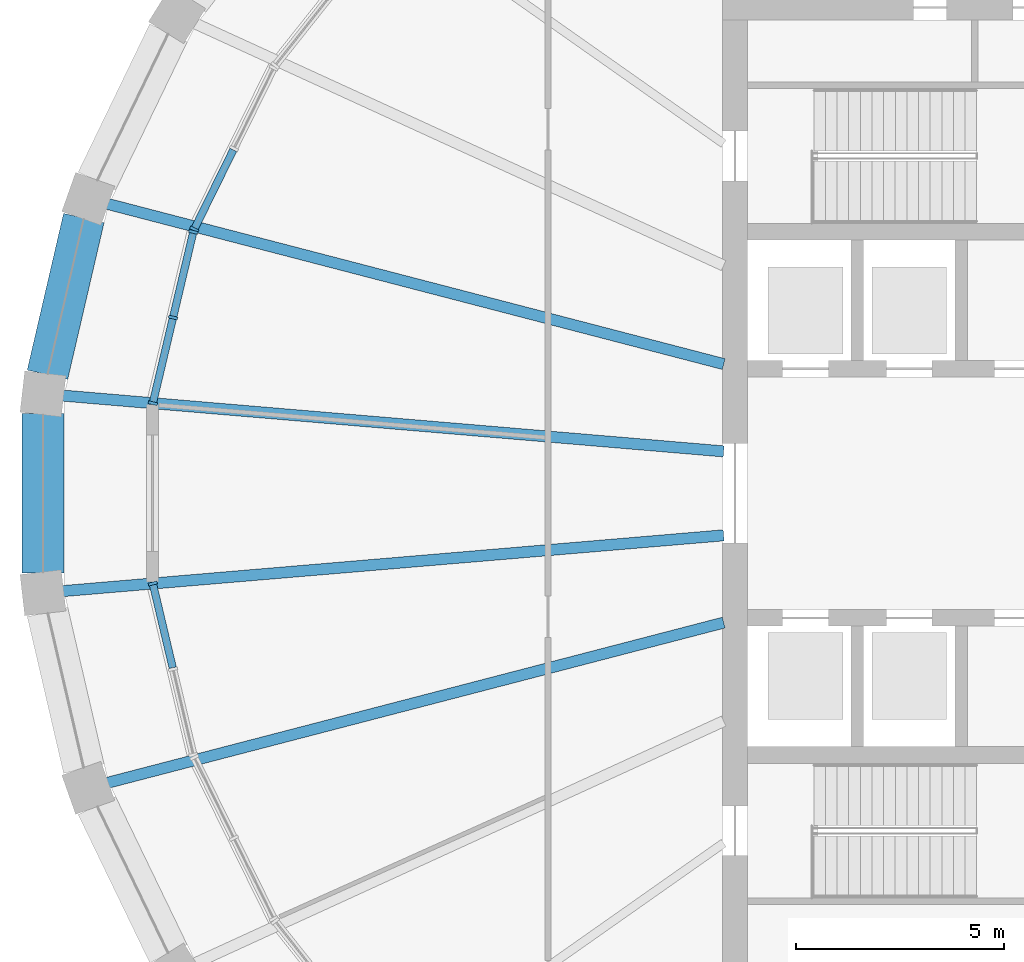
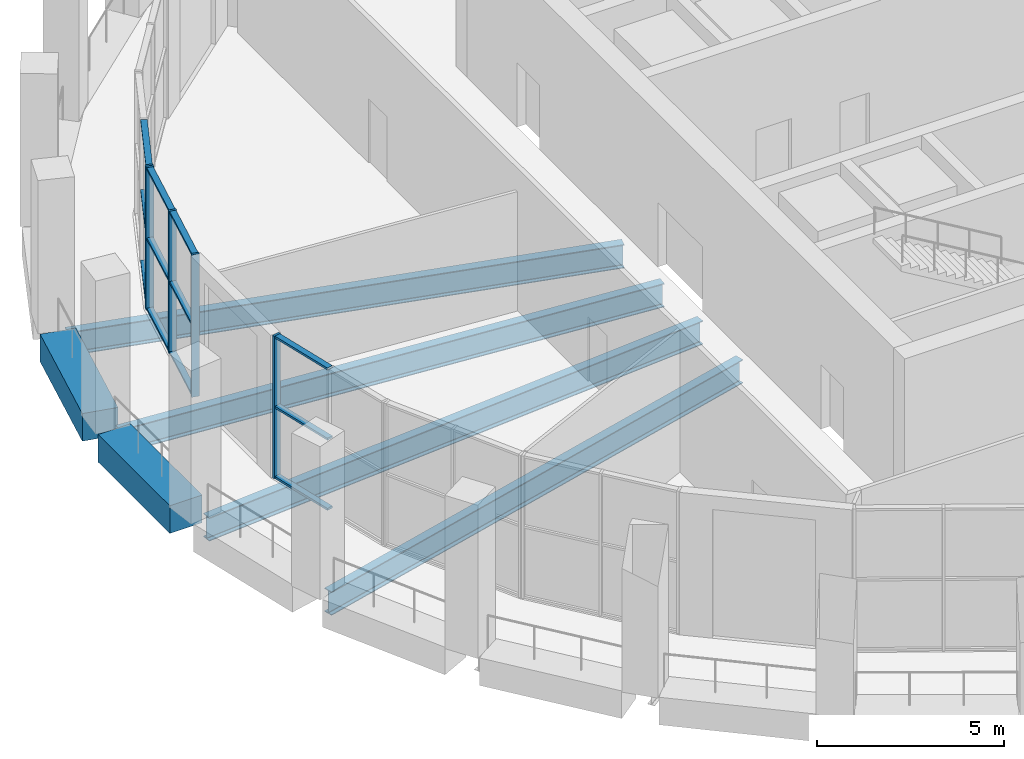
# One storey, part 3 of 16: 17 members, 6 beams, 3 elements without a shape of their own.
"""IFC4 building model written with IfcOpenShell, lengths in metres."""

from ifc_helpers import new_model, si_unit, direction, frame, origin, origin_2d, place, context, subcontext, project, spatial, rectangle, i_section, extrude, material, material_profile, profile_set, type_object, element, aggregate, save


model = new_model("IFC4")

# Units and contexts
model_context = context("Model", 3, precision=1e-05, world=origin(), true_north=direction((0.0, 1.0)))
body_context = subcontext(model_context, "Body", "Model", "MODEL_VIEW")
ifc_project = project(units=[si_unit("LENGTHUNIT", "METRE"), si_unit("AREAUNIT", "SQUARE_METRE"), si_unit("VOLUMEUNIT", "CUBIC_METRE"), si_unit("PLANEANGLEUNIT", "RADIAN"), si_unit("MASSUNIT", "GRAM", prefix="KILO")], contexts=[model_context])

# Site, building, storey
site_placement = place(None, origin())
site = spatial("IfcSite", under=ifc_project, at=site_placement, CompositionType="ELEMENT")
building_placement = place(site_placement, origin())
building = spatial("IfcBuilding", under=site, at=building_placement, Name="Halqa Exchange Tower", CompositionType="ELEMENT")
storey_placement = place(building_placement, frame((0.0, 0.0, 333.300048828125)))
storey = spatial("IfcBuildingStorey", under=building, at=storey_placement, Name="L78", CompositionType="ELEMENT", Elevation=333.300048828125)

# Beams
ifc_material_1 = material(Name="Steel S355", Category="steel")
ifc_material_profile_1 = material_profile(ifc_material_1, i_section(OverallWidth=0.26806640625, OverallDepth=0.77001953125, WebThickness=0.015625, FlangeThickness=0.025390625, FilletRadius=0.01708984375, at=origin_2d()), Name="IPE 750x196")
ifc_profile_set_1 = profile_set([ifc_material_profile_1], Name="Steel S355")
beam_type_1 = type_object("IfcBeamType", Name="Floor beam IPE 750x196", PredefinedType="BEAM", material=ifc_profile_set_1)
beam_1_placement = place(storey_placement, frame((-11.97119140625, 3.112548828125, -0.735107421875), z_axis=(-0.967819348283, 0.251645999551, 0.0), x_axis=(-0.251645999551, -0.967819348283, 0.0)))
element("IfcBeam", 1, at=beam_1_placement, inside=storey, type_object=beam_type_1, Name="Radial beam 15", PredefinedType="BEAM", context=body_context, shape_type="SweptSolid", body=[
    extrude(i_section(OverallWidth=0.26806640625, OverallDepth=0.77001953125, WebThickness=0.015625, FlangeThickness=0.025390625, FilletRadius=0.01708984375, at=origin_2d()), origin(), (0.0, 0.0, 1.0), 15.4365234375),
])
for number, where, z_axis, x_axis, name in (
    (2, (-11.972900390625, 1.0107421875, -0.735107421875), (-0.996455843657, 0.08411748713, 0.0), (-0.08411748713, -0.996455843657, 0.0), "Radial beam 16"),
    (3, (-11.972900390625, -1.0107421875, -0.735107421875), (-0.996455843657, -0.08411748713, 0.0), (0.08411748713, -0.996455843657, 0.0), "Radial beam 17"),
):
    element("IfcBeam", number, at=place(storey_placement, frame(where, z_axis=z_axis, x_axis=x_axis)), inside=storey, type_object=beam_type_1, Name=name, PredefinedType="BEAM", context=body_context, shape_type="SweptSolid", body=[
        extrude(i_section(OverallWidth=0.26806640625, OverallDepth=0.77001953125, WebThickness=0.015625, FlangeThickness=0.025390625, FilletRadius=0.01708984375, at=origin_2d()), origin(), (0.0, 0.0, 1.0), 16.076171875),
    ])
beam_2_placement = place(storey_placement, frame((-11.97119140625, -3.112548828125, -0.735107421875), z_axis=(-0.967819348283, -0.251645999551, 0.0), x_axis=(0.251645999551, -0.967819348283, 0.0)))
element("IfcBeam", 4, at=beam_2_placement, inside=storey, type_object=beam_type_1, Name="Radial beam 18", PredefinedType="BEAM", context=body_context, shape_type="SweptSolid", body=[
    extrude(i_section(OverallWidth=0.26806640625, OverallDepth=0.77001953125, WebThickness=0.015625, FlangeThickness=0.025390625, FilletRadius=0.01708984375, at=origin_2d()), origin(), (0.0, 0.0, 1.0), 15.4365234375),
])
ifc_material_2 = material(Name="Concrete C60/75", Category="concrete")
ifc_material_profile_2 = material_profile(ifc_material_2, rectangle(XDim=1.0, YDim=0.89990234375, at=origin_2d()), Name="1000 x 900")
ifc_profile_set_2 = profile_set([ifc_material_profile_2], Name="Concrete C60/75")
beam_type_2 = type_object("IfcBeamType", Name="RC spandrel beam 1000 x 900 C60/75", PredefinedType="SPANDREL", material=ifc_profile_set_2)
beam_3_placement = place(storey_placement, frame((-27.3798828125, 6.629150390625, -0.449951171875), z_axis=(-0.226093384766, -0.974105631523, 0.0), x_axis=(0.974105631523, -0.226093384766, 0.0)))
element("IfcBeam", 5, at=beam_3_placement, inside=storey, type_object=beam_type_2, Name="Spandrel 15", PredefinedType="SPANDREL", context=body_context, shape_type="SweptSolid", body=[
    extrude(rectangle(XDim=1.0, YDim=0.89990234375, at=origin_2d()), origin(), (0.0, 0.0, 1.0), 3.872314453125),
])
beam_4_placement = place(storey_placement, frame((-28.36279296875, 1.919189453125, -0.449951171875), z_axis=(0.0, -1.0, 0.0), x_axis=(1.0, 0.0, 0.0)))
element("IfcBeam", 6, at=beam_4_placement, inside=storey, type_object=beam_type_2, Name="Spandrel 16", PredefinedType="SPANDREL", context=body_context, shape_type="SweptSolid", body=[
    extrude(rectangle(XDim=1.0, YDim=0.89990234375, at=origin_2d()), origin(), (0.0, 0.0, 1.0), 3.83837890625),
])

# Curtain wall, member
ifc_material_3 = material(Name="Anodised aluminium and clear glass", Category="aluminium")
curtain_wall_type = type_object("IfcCurtainWallType", Name="Sky lobby glazing", PredefinedType="NOTDEFINED", material=ifc_material_3)
curtain_wall_1_placement = place(storey_placement, origin())
curtain_wall_1 = element("IfcCurtainWall", 7, at=curtain_wall_1_placement, inside=storey, type_object=curtain_wall_type, Name="Sky lobby glazing run G14", PredefinedType="NOTDEFINED")
ifc_material_4 = material(Name="Anodised aluminium", Category="aluminium")
ifc_material_profile_3 = material_profile(ifc_material_4, rectangle(XDim=0.219970703125, YDim=0.070068359375, at=origin_2d()), Name="AL 70x220")
ifc_profile_set_3 = profile_set([ifc_material_profile_3], Name="Anodised aluminium")
member_type_1 = type_object("IfcMemberType", Name="Sky lobby glazing mullion 70 x 220", PredefinedType="MULLION", material=ifc_profile_set_3)
member_1_placement = place(storey_placement, frame((-24.719970703125, 6.36083984375, 0.0), z_axis=(0.0, 0.0, 1.0), x_axis=(0.897214741349, -0.441594506199, 0.0)))
member_1 = element("IfcMember", 8, at=member_1_placement, type_object=member_type_1, Name="G14 mullion 3", PredefinedType="MULLION", context=body_context, shape_type="SweptSolid", body=[
    extrude(rectangle(XDim=0.219970703125, YDim=0.070068359375, at=origin_2d()), origin(), (0.0, 0.0, 1.0), 4.64990234375),
])

# Curtain wall, members
curtain_wall_2_placement = place(storey_placement, origin())
curtain_wall_2 = element("IfcCurtainWall", 9, at=curtain_wall_2_placement, inside=storey, type_object=curtain_wall_type, Name="Sky lobby glazing run G15", PredefinedType="NOTDEFINED")
member_2_placement = place(storey_placement, frame((-24.74365234375, 6.29541015625, 0.0), z_axis=(0.0, 0.0, 1.0), x_axis=(0.97319169906, -0.229995471437, 0.0)))
member_2 = element("IfcMember", 10, at=member_2_placement, type_object=member_type_1, Name="G15 mullion 1", PredefinedType="MULLION", context=body_context, shape_type="SweptSolid", body=[
    extrude(rectangle(XDim=0.219970703125, YDim=0.070068359375, at=origin_2d()), origin(), (0.0, 0.0, 1.0), 4.64990234375),
])
member_3_placement = place(storey_placement, frame((-25.23095703125, 4.2333984375, 0.0), z_axis=(0.0, 0.0, 1.0), x_axis=(0.97319169906, -0.229995471437, 0.0)))
member_3 = element("IfcMember", 11, at=member_3_placement, type_object=member_type_1, Name="G15 mullion 2", PredefinedType="MULLION", context=body_context, shape_type="SweptSolid", body=[
    extrude(rectangle(XDim=0.219970703125, YDim=0.070068359375, at=origin_2d()), origin(), (0.0, 0.0, 1.0), 4.64990234375),
])
member_4_placement = place(storey_placement, frame((-25.71826171875, 2.171630859375, 0.0), z_axis=(0.0, 0.0, 1.0), x_axis=(0.97319169906, -0.229995471437, 0.0)))
member_4 = element("IfcMember", 12, at=member_4_placement, type_object=member_type_1, Name="G15 mullion 3", PredefinedType="MULLION", context=body_context, shape_type="SweptSolid", body=[
    extrude(rectangle(XDim=0.219970703125, YDim=0.070068359375, at=origin_2d()), origin(), (0.0, 0.0, 1.0), 4.64990234375),
])

# Curtain wall, member
curtain_wall_3_placement = place(storey_placement, origin())
curtain_wall_3 = element("IfcCurtainWall", 13, at=curtain_wall_3_placement, inside=storey, type_object=curtain_wall_type, Name="Sky lobby glazing run G17", PredefinedType="NOTDEFINED")
member_5_placement = place(storey_placement, frame((-25.71826171875, -2.171630859375, 0.0), z_axis=(0.0, 0.0, 1.0), x_axis=(0.97319169906, 0.229995471437, 0.0)))
member_5 = element("IfcMember", 14, at=member_5_placement, type_object=member_type_1, Name="G17 mullion 1", PredefinedType="MULLION", context=body_context, shape_type="SweptSolid", body=[
    extrude(rectangle(XDim=0.219970703125, YDim=0.070068359375, at=origin_2d()), origin(), (0.0, 0.0, 1.0), 4.64990234375),
])

# Member
ifc_material_profile_4 = material_profile(ifc_material_4, rectangle(XDim=0.179931640625, YDim=0.070068359375, at=origin_2d()), Name="AL 70x180")
ifc_profile_set_4 = profile_set([ifc_material_profile_4], Name="Anodised aluminium")
member_type_2 = type_object("IfcMemberType", Name="Sky lobby glazing transom 70 x 180", PredefinedType="USERDEFINED", material=ifc_profile_set_4)
member_6_placement = place(storey_placement, frame((-23.779541015625, 8.271484375, 0.034912109375), z_axis=(-0.441656599677, -0.89718417728, 0.0), x_axis=(0.89718417728, -0.441656599677, 0.0)))
member_6 = element("IfcMember", 15, at=member_6_placement, type_object=member_type_2, Name="G14 transom 2.1", ObjectType="TRANSOM", PredefinedType="USERDEFINED", context=body_context, shape_type="SweptSolid", body=[
    extrude(rectangle(XDim=0.179931640625, YDim=0.070068359375, at=origin_2d()), origin(), (0.0, 0.0, 1.0), 2.094482421875),
])

member_7_placement = place(storey_placement, frame((-23.779541015625, 8.271484375, 2.324951171875), z_axis=(-0.441656599677, -0.89718417728, 0.0), x_axis=(0.89718417728, -0.441656599677, 0.0)))
member_7 = element("IfcMember", 16, at=member_7_placement, type_object=member_type_2, Name="G14 transom 2.2", ObjectType="TRANSOM", PredefinedType="USERDEFINED", context=body_context, shape_type="SweptSolid", body=[
    extrude(rectangle(XDim=0.179931640625, YDim=0.070068359375, at=origin_2d()), origin(), (0.0, 0.0, 1.0), 2.094482421875),
])

member_8_placement = place(storey_placement, frame((-23.779541015625, 8.271484375, 4.614990234375), z_axis=(-0.441656599677, -0.89718417728, 0.0), x_axis=(0.89718417728, -0.441656599677, 0.0)))
member_8 = element("IfcMember", 17, at=member_8_placement, type_object=member_type_2, Name="G14 transom 2.3", ObjectType="TRANSOM", PredefinedType="USERDEFINED", context=body_context, shape_type="SweptSolid", body=[
    extrude(rectangle(XDim=0.179931640625, YDim=0.070068359375, at=origin_2d()), origin(), (0.0, 0.0, 1.0), 2.094482421875),
])

aggregate(curtain_wall_1, [member_1, member_6, member_7, member_8])

member_9_placement = place(storey_placement, frame((-24.751708984375, 6.261474609375, 0.034912109375), z_axis=(-0.229982362929, -0.973194796914, 0.0), x_axis=(0.973194796914, -0.229982362929, 0.0)))
member_9 = element("IfcMember", 18, at=member_9_placement, type_object=member_type_2, Name="G15 transom 1.1", ObjectType="TRANSOM", PredefinedType="USERDEFINED", context=body_context, shape_type="SweptSolid", body=[
    extrude(rectangle(XDim=0.179931640625, YDim=0.070068359375, at=origin_2d()), origin(), (0.0, 0.0, 1.0), 2.048828125),
])

member_10_placement = place(storey_placement, frame((-24.751708984375, 6.261474609375, 2.324951171875), z_axis=(-0.229982362929, -0.973194796914, 0.0), x_axis=(0.973194796914, -0.229982362929, 0.0)))
member_10 = element("IfcMember", 19, at=member_10_placement, type_object=member_type_2, Name="G15 transom 1.2", ObjectType="TRANSOM", PredefinedType="USERDEFINED", context=body_context, shape_type="SweptSolid", body=[
    extrude(rectangle(XDim=0.179931640625, YDim=0.070068359375, at=origin_2d()), origin(), (0.0, 0.0, 1.0), 2.048828125),
])

member_11_placement = place(storey_placement, frame((-24.751708984375, 6.261474609375, 4.614990234375), z_axis=(-0.229982362929, -0.973194796914, 0.0), x_axis=(0.973194796914, -0.229982362929, 0.0)))
member_11 = element("IfcMember", 20, at=member_11_placement, type_object=member_type_2, Name="G15 transom 1.3", ObjectType="TRANSOM", PredefinedType="USERDEFINED", context=body_context, shape_type="SweptSolid", body=[
    extrude(rectangle(XDim=0.179931640625, YDim=0.070068359375, at=origin_2d()), origin(), (0.0, 0.0, 1.0), 2.048828125),
])

member_12_placement = place(storey_placement, frame((-25.239013671875, 4.199462890625, 0.034912109375), z_axis=(-0.229982362929, -0.973194796914, 0.0), x_axis=(0.973194796914, -0.229982362929, 0.0)))
member_12 = element("IfcMember", 21, at=member_12_placement, type_object=member_type_2, Name="G15 transom 2.1", ObjectType="TRANSOM", PredefinedType="USERDEFINED", context=body_context, shape_type="SweptSolid", body=[
    extrude(rectangle(XDim=0.179931640625, YDim=0.070068359375, at=origin_2d()), origin(), (0.0, 0.0, 1.0), 2.048828125),
])

member_13_placement = place(storey_placement, frame((-25.239013671875, 4.199462890625, 2.324951171875), z_axis=(-0.229982362929, -0.973194796914, 0.0), x_axis=(0.973194796914, -0.229982362929, 0.0)))
member_13 = element("IfcMember", 22, at=member_13_placement, type_object=member_type_2, Name="G15 transom 2.2", ObjectType="TRANSOM", PredefinedType="USERDEFINED", context=body_context, shape_type="SweptSolid", body=[
    extrude(rectangle(XDim=0.179931640625, YDim=0.070068359375, at=origin_2d()), origin(), (0.0, 0.0, 1.0), 2.048828125),
])

member_14_placement = place(storey_placement, frame((-25.239013671875, 4.199462890625, 4.614990234375), z_axis=(-0.229982362929, -0.973194796914, 0.0), x_axis=(0.973194796914, -0.229982362929, 0.0)))
member_14 = element("IfcMember", 23, at=member_14_placement, type_object=member_type_2, Name="G15 transom 2.3", ObjectType="TRANSOM", PredefinedType="USERDEFINED", context=body_context, shape_type="SweptSolid", body=[
    extrude(rectangle(XDim=0.179931640625, YDim=0.070068359375, at=origin_2d()), origin(), (0.0, 0.0, 1.0), 2.048828125),
])

aggregate(curtain_wall_2, [member_2, member_3, member_4, member_9, member_10, member_11, member_12, member_13, member_14])

member_15_placement = place(storey_placement, frame((-25.710205078125, -2.20556640625, 0.034912109375), z_axis=(0.229982362929, -0.973194796914, 0.0), x_axis=(0.973194796914, 0.229982362929, 0.0)))
member_15 = element("IfcMember", 24, at=member_15_placement, type_object=member_type_2, Name="G17 transom 1.1", ObjectType="TRANSOM", PredefinedType="USERDEFINED", context=body_context, shape_type="SweptSolid", body=[
    extrude(rectangle(XDim=0.179931640625, YDim=0.070068359375, at=origin_2d()), origin(), (0.0, 0.0, 1.0), 2.048828125),
])

member_16_placement = place(storey_placement, frame((-25.710205078125, -2.20556640625, 2.324951171875), z_axis=(0.229982362929, -0.973194796914, 0.0), x_axis=(0.973194796914, 0.229982362929, 0.0)))
member_16 = element("IfcMember", 25, at=member_16_placement, type_object=member_type_2, Name="G17 transom 1.2", ObjectType="TRANSOM", PredefinedType="USERDEFINED", context=body_context, shape_type="SweptSolid", body=[
    extrude(rectangle(XDim=0.179931640625, YDim=0.070068359375, at=origin_2d()), origin(), (0.0, 0.0, 1.0), 2.048828125),
])

member_17_placement = place(storey_placement, frame((-25.710205078125, -2.20556640625, 4.614990234375), z_axis=(0.229982362929, -0.973194796914, 0.0), x_axis=(0.973194796914, 0.229982362929, 0.0)))
member_17 = element("IfcMember", 26, at=member_17_placement, type_object=member_type_2, Name="G17 transom 1.3", ObjectType="TRANSOM", PredefinedType="USERDEFINED", context=body_context, shape_type="SweptSolid", body=[
    extrude(rectangle(XDim=0.179931640625, YDim=0.070068359375, at=origin_2d()), origin(), (0.0, 0.0, 1.0), 2.048828125),
])

aggregate(curtain_wall_3, [member_5, member_15, member_16, member_17])

save(model, "model.ifc")
